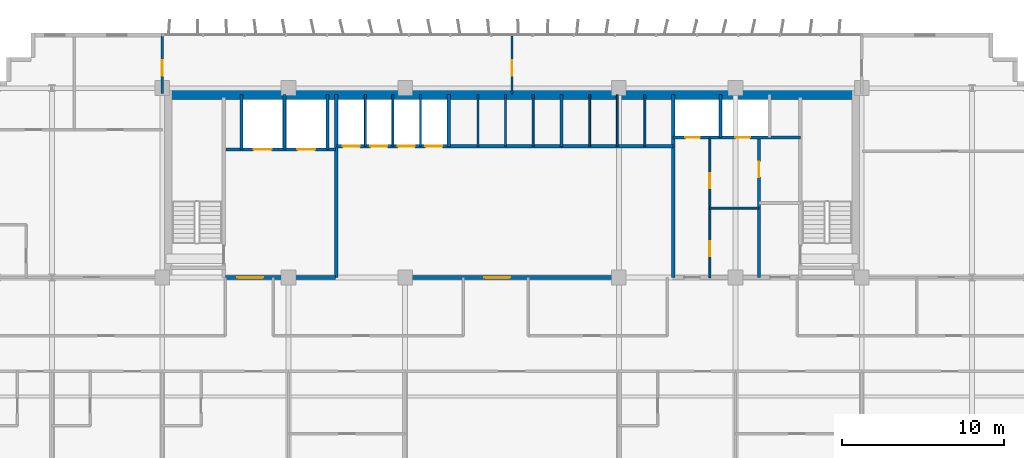
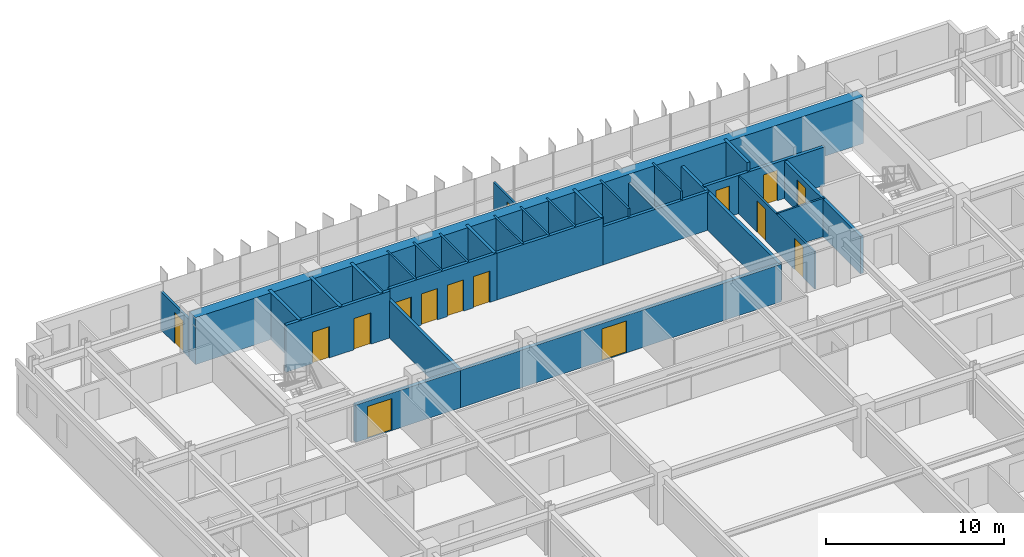
# One storey, part 21 of 25: 30 walls, 15 doors, 15 openings.
"""IFC4 building model written with IfcOpenShell, lengths in metres."""

from ifc_helpers import new_model, si_unit, direction, frame, frame_2d, origin, place, context, subcontext, project, spatial, rectangle, extrude, source, transform, mapped, material, layer, layer_set, type_object, element, fill, save


model = new_model("IFC4")

# Units and contexts
model_context = context("Model", 3, precision=1e-05, world=origin(), true_north=direction((0.0, 1.0)))
body_context = subcontext(model_context, "Body", "Model", "MODEL_VIEW")
ifc_project = project(units=[si_unit("LENGTHUNIT", "METRE"), si_unit("AREAUNIT", "SQUARE_METRE"), si_unit("VOLUMEUNIT", "CUBIC_METRE"), si_unit("PLANEANGLEUNIT", "RADIAN"), si_unit("MASSUNIT", "GRAM", prefix="KILO")], contexts=[model_context])

# Site, building, storey
site_placement = place(None, origin())
site = spatial("IfcSite", under=ifc_project, at=site_placement, CompositionType="ELEMENT")
building_placement = place(site_placement, origin())
building = spatial("IfcBuilding", under=site, at=building_placement, Name="Trelvane Seafront Commons", CompositionType="ELEMENT")
storey_placement = place(building_placement, frame((0.0, 0.0, 70.300048828125)))
storey = spatial("IfcBuildingStorey", under=building, at=storey_placement, Name="L18", CompositionType="ELEMENT", Elevation=70.300048828125)

# Wall, opening, door
ifc_material_1 = material(Name="Concrete C40/50", Category="concrete")
ifc_layer_1 = layer(ifc_material_1, 0.199951171875, Name="ARCH-WALL-FIRE200")
ifc_layer_set_1 = layer_set([ifc_layer_1], Name="Concrete C40/50")
wall_type_1 = type_object("IfcWallType", Name="ARCH-WALL-FIRE200", PredefinedType="PARTITIONING", material=ifc_layer_set_1)
wall_1_placement = place(storey_placement, frame((52.449951171875, 33.39990234375, 0.0), z_axis=(0.0, 0.0, 1.0), x_axis=(0.0, 1.0, 0.0)))
wall_1 = element("IfcWall", 1, at=wall_1_placement, inside=storey, type_object=wall_type_1, Name="W-L18-ST2V-W-033", PredefinedType="PARTITIONING", context=body_context, shape_type="SweptSolid", body=[
    extrude(rectangle(XDim=8.650146484375, YDim=0.199951171875, at=frame_2d((4.3251953125, 0.0))), origin(), (0.0, 0.0, 1.0), 2.570068359375),
])
opening_1_placement = place(wall_1_placement, frame((6.199951171875, 0.0, 0.0)))
opening_1 = element("IfcOpeningElement", 2, at=opening_1_placement, cuts=wall_1, Name="Opening FD-L18-13", PredefinedType="OPENING", context=body_context, shape_type="SweptSolid", body=[
    extrude(rectangle(XDim=0.949951171875, YDim=2.14990234375, at=frame_2d((0.47509765625, 1.074951171875))), frame((0.0, 0.10986328125, 0.0), z_axis=(0.0, -1.0, 0.0), x_axis=(1.0, 0.0, 0.0)), (0.0, 0.0, 1.0), 0.219970703125),
])
ifc_material_2 = material(Name="Powder-coated aluminium frame", Category="aluminium")
door_type_1 = type_object("IfcDoorType", Name="ARCH-DR-FD60-950", OperationType="NOTDEFINED", PredefinedType="DOOR", material=ifc_material_2)
shared_shape_1 = source(origin(), body_context, "Body", "SweptSolid", [
    extrude(rectangle(XDim=0.949951171875, YDim=2.14990234375, at=frame_2d((0.47509765625, 1.074951171875))), frame((0.0, 0.02490234375, 0.0), z_axis=(0.0, -1.0, 0.0), x_axis=(1.0, 0.0, 0.0)), (0.0, 0.0, 1.0), 0.050048828125),
])
door_1_placement = place(opening_1_placement, origin())
door_1 = element("IfcDoor", 3, at=door_1_placement, inside=storey, type_object=door_type_1, Name="L18 Cleaner Store Door", OperationType="SINGLE_SWING_LEFT", OverallHeight=2.14990234375, OverallWidth=0.949951171875, PredefinedType="DOOR", context=body_context, shape_type="MappedRepresentation", body=[
    mapped(shared_shape_1, transform((0.0, 0.0, 0.0), x_axis=(1.0, 0.0, 0.0), y_axis=(0.0, 1.0, 0.0), z_axis=(0.0, 0.0, 1.0), scale=1.0)),
])
fill(opening_1, door_1)

ifc_layer_2 = layer(ifc_material_1, 0.25, Name="ARCH-WALL-FIRE250")
ifc_layer_set_2 = layer_set([ifc_layer_2], Name="Concrete C40/50")
wall_type_2 = type_object("IfcWallType", Name="ARCH-WALL-FIRE250", PredefinedType="PARTITIONING", material=ifc_layer_set_2)
wall_2_placement = place(storey_placement, frame((19.5, 33.39990234375, 0.0), z_axis=(0.0, 0.0, 1.0), x_axis=(1.0, 0.0, 0.0)))
wall_2 = element("IfcWall", 4, at=wall_2_placement, inside=storey, type_object=wall_type_2, Name="W-L18-CS-FFL-013", PredefinedType="PARTITIONING", context=body_context, shape_type="SweptSolid", body=[
    extrude(rectangle(XDim=6.800048828125, YDim=0.25, at=frame_2d((3.39990234375, 0.0))), origin(), (0.0, 0.0, 1.0), 2.570068359375),
])
opening_2_placement = place(wall_2_placement, frame((0.75, 0.0, 0.0)))
opening_2 = element("IfcOpeningElement", 5, at=opening_2_placement, cuts=wall_2, Name="Opening FD-L18-05", PredefinedType="OPENING", context=body_context, shape_type="SweptSolid", body=[
    extrude(rectangle(XDim=1.60009765625, YDim=2.199951171875, at=frame_2d((0.800048828125, 1.10009765625))), frame((0.0, 0.135009765625, 0.0), z_axis=(0.0, -1.0, 0.0), x_axis=(1.0, 0.0, 0.0)), (0.0, 0.0, 1.0), 0.27001953125),
])
door_type_2 = type_object("IfcDoorType", Name="ARCH-DR-FD60-1600", OperationType="DOUBLE_DOOR_SINGLE_SWING", PredefinedType="DOOR", material=ifc_material_2)
shared_shape_2 = source(origin(), body_context, "Body", "SweptSolid", [
    extrude(rectangle(XDim=1.60009765625, YDim=2.199951171875, at=frame_2d((0.800048828125, 1.10009765625))), frame((0.0, 0.02490234375, 0.0), z_axis=(0.0, -1.0, 0.0), x_axis=(1.0, 0.0, 0.0)), (0.0, 0.0, 1.0), 0.050048828125),
])
door_2_placement = place(opening_2_placement, origin())
door_2 = element("IfcDoor", 6, at=door_2_placement, inside=storey, type_object=door_type_2, Name="L18 Firefighting Lift Lobby Double Fire Door", OperationType="DOUBLE_DOOR_SINGLE_SWING", OverallHeight=2.199951171875, OverallWidth=1.60009765625, PredefinedType="DOOR", context=body_context, shape_type="MappedRepresentation", body=[
    mapped(shared_shape_2, transform((0.0, 0.0, 0.0), x_axis=(1.0, 0.0, 0.0), y_axis=(0.0, 1.0, 0.0), z_axis=(0.0, 0.0, 1.0), scale=1.0)),
])
fill(opening_2, door_2)

wall_3_placement = place(storey_placement, frame((26.300048828125, 33.39990234375, 0.0), z_axis=(0.0, 0.0, 1.0), x_axis=(1.0, 0.0, 0.0)))
wall_3 = element("IfcWall", 7, at=wall_3_placement, inside=storey, type_object=wall_type_2, Name="W-L18-CS-PAX-029", PredefinedType="PARTITIONING", context=body_context, shape_type="SweptSolid", body=[
    extrude(rectangle(XDim=20.849853515625, YDim=0.25, at=frame_2d((10.4248046875, 0.0))), origin(), (0.0, 0.0, 1.0), 2.570068359375),
])
opening_3_placement = place(wall_3_placement, frame((9.199951171875, 0.0, 0.0)))
opening_3 = element("IfcOpeningElement", 8, at=opening_3_placement, cuts=wall_3, Name="Opening FD-L18-10", PredefinedType="OPENING", context=body_context, shape_type="SweptSolid", body=[
    extrude(rectangle(XDim=1.60009765625, YDim=2.199951171875, at=frame_2d((0.800048828125, 1.10009765625))), frame((0.0, 0.135009765625, 0.0), z_axis=(0.0, -1.0, 0.0), x_axis=(1.0, 0.0, 0.0)), (0.0, 0.0, 1.0), 0.27001953125),
])
door_3_placement = place(opening_3_placement, origin())
door_3 = element("IfcDoor", 9, at=door_3_placement, inside=storey, type_object=door_type_2, Name="L18 Passenger Lift Lobby Double Door", OperationType="DOUBLE_DOOR_SINGLE_SWING", OverallHeight=2.199951171875, OverallWidth=1.60009765625, PredefinedType="DOOR", context=body_context, shape_type="MappedRepresentation", body=[
    mapped(shared_shape_2, transform((0.0, 0.0, 0.0), x_axis=(1.0, 0.0, 0.0), y_axis=(0.0, 1.0, 0.0), z_axis=(0.0, 0.0, 1.0), scale=1.0)),
])
fill(opening_3, door_3)

# Walls
ifc_material_3 = material(Name="Gypsum Drywall Acoustic Partition")
ifc_layer_3 = layer(ifc_material_3, 0.1201171875, Name="ARCH-WALL-PART120")
ifc_layer_set_3 = layer_set([ifc_layer_3], Name="Gypsum Drywall Acoustic Partition")
wall_type_3 = type_object("IfcWallType", Name="ARCH-WALL-PART120", PredefinedType="PARTITIONING", material=ifc_layer_set_3)
for number, where, z_axis, x_axis, name in (
    (10, (28.14990234375, 41.5, 0.0), (0.0, 0.0, 1.0), (0.0, 1.0, 0.0), "W-L18-PL-DIV1-016"),
    (11, (29.85009765625, 41.5, 0.0), (0.0, 0.0, 1.0), (0.0, 1.0, 0.0), "W-L18-PL-DIV2-017"),
    (12, (31.550048828125, 41.5, 0.0), (0.0, 0.0, 1.0), (0.0, 1.0, 0.0), "W-L18-PL-DIV3-018"),
    (13, (35.10009765625, 41.5, 0.0), (0.0, 0.0, 1.0), (0.0, 1.0, 0.0), "W-L18-PM-DIV1-020"),
    (14, (36.800048828125, 41.5, 0.0), (0.0, 0.0, 1.0), (0.0, 1.0, 0.0), "W-L18-PM-DIV2-021"),
    (15, (38.5, 41.5, 0.0), (0.0, 0.0, 1.0), (0.0, 1.0, 0.0), "W-L18-PM-DIV3-022"),
    (16, (42.0, 41.5, 0.0), (0.0, 0.0, 1.0), (0.0, 1.0, 0.0), "W-L18-PH-DIV1-025"),
):
    element("IfcWall", number, at=place(storey_placement, frame(where, z_axis=z_axis, x_axis=x_axis)), inside=storey, type_object=wall_type_3, Name=name, PredefinedType="PARTITIONING", context=body_context, shape_type="SweptSolid", body=[
        extrude(rectangle(XDim=3.199951171875, YDim=0.1201171875, at=frame_2d((1.60009765625, 0.0))), origin(), (0.0, 0.0, 1.0), 3.219970703125),
    ])
wall_4_placement = place(storey_placement, frame((43.699951171875, 41.5, 0.0), z_axis=(0.0, 0.0, 1.0), x_axis=(0.0, 1.0, 0.0)))
element("IfcWall", 17, at=wall_4_placement, inside=storey, type_object=wall_type_3, Name="W-L18-PH-DIV2-026", PredefinedType="PARTITIONING", context=body_context, shape_type="SweptSolid", body=[
    extrude(rectangle(XDim=3.199951171875, YDim=0.1201171875, at=frame_2d((1.60009765625, 0.0))), origin(), (0.0, 0.0, 1.0), 2.6318359375),
])
wall_5_placement = place(storey_placement, frame((45.39990234375, 41.5, 0.0), z_axis=(0.0, 0.0, 1.0), x_axis=(0.0, 1.0, 0.0)))
element("IfcWall", 18, at=wall_5_placement, inside=storey, type_object=wall_type_3, Name="W-L18-PH-DIV3-027", PredefinedType="PARTITIONING", context=body_context, shape_type="SweptSolid", body=[
    extrude(rectangle(XDim=3.199951171875, YDim=0.1201171875, at=frame_2d((1.60009765625, 0.0))), origin(), (0.0, 0.0, 1.0), 3.219970703125),
])

# Wall, openings, doors
wall_6_placement = place(storey_placement, frame((49.419921875, 33.39990234375, 0.0), z_axis=(0.0, 0.0, 1.0), x_axis=(0.0, 1.0, 0.0)))
wall_6 = element("IfcWall", 19, at=wall_6_placement, inside=storey, type_object=wall_type_3, Name="W-L18-CYC0-V-035", PredefinedType="PARTITIONING", context=body_context, shape_type="SweptSolid", body=[
    extrude(rectangle(XDim=8.60009765625, YDim=0.1201171875, at=frame_2d((4.300048828125, 0.0))), origin(), (0.0, 0.0, 1.0), 2.570068359375),
])
opening_4_placement = place(wall_6_placement, frame((1.300048828125, 0.0, 0.0)))
opening_4 = element("IfcOpeningElement", 20, at=opening_4_placement, cuts=wall_6, Name="Opening D-L18-14", PredefinedType="OPENING", context=body_context, shape_type="SweptSolid", body=[
    extrude(rectangle(XDim=0.949951171875, YDim=2.14990234375, at=frame_2d((0.47509765625, 1.074951171875))), frame((0.0, 0.070068359375, 0.0), z_axis=(0.0, -1.0, 0.0), x_axis=(1.0, 0.0, 0.0)), (0.0, 0.0, 1.0), 0.14013671875),
])
opening_5_placement = place(wall_6_placement, frame((5.5, 0.0, 0.0)))
opening_5 = element("IfcOpeningElement", 21, at=opening_5_placement, cuts=wall_6, Name="Opening D-L18-15", PredefinedType="OPENING", context=body_context, shape_type="SweptSolid", body=[
    extrude(rectangle(XDim=0.949951171875, YDim=2.14990234375, at=frame_2d((0.47509765625, 1.074951171875))), frame((0.0, 0.070068359375, 0.0), z_axis=(0.0, -1.0, 0.0), x_axis=(1.0, 0.0, 0.0)), (0.0, 0.0, 1.0), 0.14013671875),
])
ifc_material_4 = material(Name="Acoustic timber door leaf", Category="wood")
door_type_3 = type_object("IfcDoorType", Name="ARCH-DR-INT950", OperationType="NOTDEFINED", PredefinedType="DOOR", material=ifc_material_4)
door_4_placement = place(opening_4_placement, origin())
door_4 = element("IfcDoor", 22, at=door_4_placement, inside=storey, type_object=door_type_3, Name="L18 Accessible WC Door", OperationType="SINGLE_SWING_RIGHT", OverallHeight=2.14990234375, OverallWidth=0.949951171875, PredefinedType="DOOR", context=body_context, shape_type="MappedRepresentation", body=[
    mapped(shared_shape_1, transform((0.0, 0.0, 0.0), x_axis=(1.0, 0.0, 0.0), y_axis=(0.0, 1.0, 0.0), z_axis=(0.0, 0.0, 1.0), scale=1.0)),
])
fill(opening_4, door_4)
door_5_placement = place(opening_5_placement, origin())
door_5 = element("IfcDoor", 23, at=door_5_placement, inside=storey, type_object=door_type_3, Name="L18 Common WC Door", OperationType="SINGLE_SWING_LEFT", OverallHeight=2.14990234375, OverallWidth=0.949951171875, PredefinedType="DOOR", context=body_context, shape_type="MappedRepresentation", body=[
    mapped(shared_shape_1, transform((0.0, 0.0, 0.0), x_axis=(1.0, 0.0, 0.0), y_axis=(0.0, 1.0, 0.0), z_axis=(0.0, 0.0, 1.0), scale=1.0)),
])
fill(opening_5, door_5)

# Wall
wall_7_placement = place(storey_placement, frame((49.419921875, 37.679931640625, 0.0), z_axis=(0.0, 0.0, 1.0), x_axis=(1.0, 0.0, 0.0)))
element("IfcWall", 24, at=wall_7_placement, inside=storey, type_object=wall_type_3, Name="W-L18-CYC0-H-036", PredefinedType="PARTITIONING", context=body_context, shape_type="SweptSolid", body=[
    extrude(rectangle(XDim=3.030029296875, YDim=0.1201171875, at=frame_2d((1.51513671875, 0.0))), origin(), (0.0, 0.0, 1.0), 2.6318359375),
])

# Wall, opening, door
wall_8_placement = place(storey_placement, frame((37.199951171875, 44.75, 0.0), z_axis=(0.0, 0.0, 1.0), x_axis=(0.0, 1.0, 0.0)))
wall_8 = element("IfcWall", 25, at=wall_8_placement, inside=storey, type_object=wall_type_3, Name="W-L18-N-MID-DV-057", PredefinedType="PARTITIONING", context=body_context, shape_type="SweptSolid", body=[
    extrude(rectangle(XDim=3.610107421875, YDim=0.1201171875, at=frame_2d((1.80517578125, 0.0))), origin(), (0.0, 0.0, 1.0), 2.570068359375),
])
opening_6_placement = place(wall_8_placement, frame((1.10009765625, 0.0, 0.0)))
opening_6 = element("IfcOpeningElement", 26, at=opening_6_placement, cuts=wall_8, Name="Opening D-L18-29", PredefinedType="OPENING", context=body_context, shape_type="SweptSolid", body=[
    extrude(rectangle(XDim=0.949951171875, YDim=2.14990234375, at=frame_2d((0.47509765625, 1.074951171875))), frame((0.0, 0.070068359375, 0.0), z_axis=(0.0, -1.0, 0.0), x_axis=(1.0, 0.0, 0.0)), (0.0, 0.0, 1.0), 0.14013671875),
])
door_6_placement = place(opening_6_placement, origin())
door_6 = element("IfcDoor", 27, at=door_6_placement, inside=storey, type_object=door_type_3, Name="L18 Door 29", OperationType="SINGLE_SWING_LEFT", OverallHeight=2.14990234375, OverallWidth=0.949951171875, PredefinedType="DOOR", context=body_context, shape_type="MappedRepresentation", body=[
    mapped(shared_shape_1, transform((0.0, 0.0, 0.0), x_axis=(1.0, 0.0, 0.0), y_axis=(0.0, 1.0, 0.0), z_axis=(0.0, 0.0, 1.0), scale=1.0)),
])
fill(opening_6, door_6)

ifc_layer_4 = layer(ifc_material_3, 0.14990234375, Name="ARCH-WALL-PART150")
ifc_layer_set_4 = layer_set([ifc_layer_4], Name="Gypsum Drywall Acoustic Partition")
wall_type_4 = type_object("IfcWallType", Name="ARCH-WALL-PART150", PredefinedType="PARTITIONING", material=ifc_layer_set_4)
wall_9_placement = place(storey_placement, frame((15.60009765625, 44.75, 0.0), z_axis=(0.0, 0.0, 1.0), x_axis=(0.0, 1.0, 0.0)))
wall_9 = element("IfcWall", 28, at=wall_9_placement, inside=storey, type_object=wall_type_4, Name="W-L18-N-LINK-W-058", PredefinedType="PARTITIONING", context=body_context, shape_type="SweptSolid", body=[
    extrude(rectangle(XDim=3.610107421875, YDim=0.14990234375, at=frame_2d((1.80517578125, 0.0))), origin(), (0.0, 0.0, 1.0), 2.6318359375),
])
opening_7_placement = place(wall_9_placement, frame((1.10009765625, 0.0, 0.0)))
opening_7 = element("IfcOpeningElement", 29, at=opening_7_placement, cuts=wall_9, Name="Opening FD-L18-30", PredefinedType="OPENING", context=body_context, shape_type="SweptSolid", body=[
    extrude(rectangle(XDim=0.949951171875, YDim=2.14990234375, at=frame_2d((0.47509765625, 1.074951171875))), frame((0.0, 0.0849609375, 0.0), z_axis=(0.0, -1.0, 0.0), x_axis=(1.0, 0.0, 0.0)), (0.0, 0.0, 1.0), 0.169921875),
])
door_7_placement = place(opening_7_placement, origin())
door_7 = element("IfcDoor", 30, at=door_7_placement, inside=storey, type_object=door_type_1, Name="L18 Door 30", OperationType="SINGLE_SWING_RIGHT", OverallHeight=2.14990234375, OverallWidth=0.949951171875, PredefinedType="DOOR", context=body_context, shape_type="MappedRepresentation", body=[
    mapped(shared_shape_1, transform((0.0, 0.0, 0.0), x_axis=(1.0, 0.0, 0.0), y_axis=(0.0, 1.0, 0.0), z_axis=(0.0, 0.0, 1.0), scale=1.0)),
])
fill(opening_7, door_7)

# Wall, openings, doors
ifc_layer_5 = layer(ifc_material_1, 0.199951171875, Name="ARCH-WALL-SHAFT200")
ifc_layer_set_5 = layer_set([ifc_layer_5], Name="Concrete C40/50")
wall_type_5 = type_object("IfcWallType", Name="ARCH-WALL-SHAFT200", PredefinedType="SOLIDWALL", material=ifc_layer_set_5)
wall_10_placement = place(storey_placement, frame((19.550048828125, 41.300048828125, 0.0), z_axis=(0.0, 0.0, 1.0), x_axis=(1.0, 0.0, 0.0)))
wall_10 = element("IfcWall", 31, at=wall_10_placement, inside=storey, type_object=wall_type_5, Name="W-L18-FFL-FRONT-008", PredefinedType="SOLIDWALL", context=body_context, shape_type="SweptSolid", body=[
    extrude(rectangle(XDim=6.75, YDim=0.199951171875, at=frame_2d((3.375, 0.0))), origin(), (0.0, 0.0, 1.0), 3.219970703125),
])
opening_8_placement = place(wall_10_placement, frame((1.699951171875, 0.0, 0.0)))
opening_8 = element("IfcOpeningElement", 32, at=opening_8_placement, cuts=wall_10, Name="Opening LD-FF1-L18", PredefinedType="OPENING", context=body_context, shape_type="SweptSolid", body=[
    extrude(rectangle(XDim=1.10009765625, YDim=2.14990234375, at=frame_2d((0.550048828125, 1.074951171875))), frame((0.0, 0.10986328125, 0.0), z_axis=(0.0, -1.0, 0.0), x_axis=(1.0, 0.0, 0.0)), (0.0, 0.0, 1.0), 0.219970703125),
])
opening_9_placement = place(wall_10_placement, frame((4.39990234375, 0.0, 0.0)))
opening_9 = element("IfcOpeningElement", 33, at=opening_9_placement, cuts=wall_10, Name="Opening LD-FF2-L18", PredefinedType="OPENING", context=body_context, shape_type="SweptSolid", body=[
    extrude(rectangle(XDim=1.10009765625, YDim=2.14990234375, at=frame_2d((0.550048828125, 1.074951171875))), frame((0.0, 0.10986328125, 0.0), z_axis=(0.0, -1.0, 0.0), x_axis=(1.0, 0.0, 0.0)), (0.0, 0.0, 1.0), 0.219970703125),
])
ifc_material_5 = material(Name="Stainless steel balustrade", Category="steel")
door_type_4 = type_object("IfcDoorType", Name="ARCH-DR-LD1100", OperationType="DOUBLE_DOOR_SLIDING", PredefinedType="DOOR", material=ifc_material_5)
shared_shape_3 = source(origin(), body_context, "Body", "SweptSolid", [
    extrude(rectangle(XDim=1.10009765625, YDim=2.14990234375, at=frame_2d((0.550048828125, 1.074951171875))), frame((0.0, 0.02490234375, 0.0), z_axis=(0.0, -1.0, 0.0), x_axis=(1.0, 0.0, 0.0)), (0.0, 0.0, 1.0), 0.050048828125),
])
door_8_placement = place(opening_8_placement, origin())
door_8 = element("IfcDoor", 34, at=door_8_placement, inside=storey, type_object=door_type_4, Name="L18 Firefighting Lift FFL-1 Landing Door", OperationType="DOUBLE_DOOR_SLIDING", OverallHeight=2.14990234375, OverallWidth=1.10009765625, PredefinedType="DOOR", context=body_context, shape_type="MappedRepresentation", body=[
    mapped(shared_shape_3, transform((0.0, 0.0, 0.0), x_axis=(1.0, 0.0, 0.0), y_axis=(0.0, 1.0, 0.0), z_axis=(0.0, 0.0, 1.0), scale=1.0)),
])
fill(opening_8, door_8)
door_9_placement = place(opening_9_placement, origin())
door_9 = element("IfcDoor", 35, at=door_9_placement, inside=storey, type_object=door_type_4, Name="L18 Firefighting Lift FFL-2 Landing Door", OperationType="DOUBLE_DOOR_SLIDING", OverallHeight=2.14990234375, OverallWidth=1.10009765625, PredefinedType="DOOR", context=body_context, shape_type="MappedRepresentation", body=[
    mapped(shared_shape_3, transform((0.0, 0.0, 0.0), x_axis=(1.0, 0.0, 0.0), y_axis=(0.0, 1.0, 0.0), z_axis=(0.0, 0.0, 1.0), scale=1.0)),
])
fill(opening_9, door_9)

# Walls
for number, where, z_axis, x_axis, name in (
    (36, (20.5, 41.300048828125, 0.0), (0.0, 0.0, 1.0), (0.0, 1.0, 0.0), "W-L18-FFL-SH-W-009"),
    (37, (23.14990234375, 41.300048828125, 0.0), (0.0, 0.0, 1.0), (0.0, 1.0, 0.0), "W-L18-FFL-DIV-010"),
    (38, (25.800048828125, 41.300048828125, 0.0), (0.0, 0.0, 1.0), (0.0, 1.0, 0.0), "W-L18-FFL-SH-E-011"),
):
    element("IfcWall", number, at=place(storey_placement, frame(where, z_axis=z_axis, x_axis=x_axis)), inside=storey, type_object=wall_type_5, Name=name, PredefinedType="SOLIDWALL", context=body_context, shape_type="SweptSolid", body=[
        extrude(rectangle(XDim=3.39990234375, YDim=0.199951171875, at=frame_2d((1.699951171875, 0.0))), origin(), (0.0, 0.0, 1.0), 3.219970703125),
    ])
wall_11_placement = place(storey_placement, frame((26.35009765625, 33.39990234375, 0.0), z_axis=(0.0, 0.0, 1.0), x_axis=(0.0, 1.0, 0.0)))
element("IfcWall", 39, at=wall_11_placement, inside=storey, type_object=wall_type_5, Name="W-L18-FFL-EAST-012", PredefinedType="SOLIDWALL", context=body_context, shape_type="SweptSolid", body=[
    extrude(rectangle(XDim=11.300048828125, YDim=0.199951171875, at=frame_2d((5.64990234375, 0.0))), origin(), (0.0, 0.0, 1.0), 2.570068359375),
])

# Wall, openings, doors
wall_12_placement = place(storey_placement, frame((26.39990234375, 41.5, 0.0), z_axis=(0.0, 0.0, 1.0), x_axis=(1.0, 0.0, 0.0)))
wall_12 = element("IfcWall", 40, at=wall_12_placement, inside=storey, type_object=wall_type_5, Name="W-L18-PL-FRONT-014", PredefinedType="SOLIDWALL", context=body_context, shape_type="SweptSolid", body=[
    extrude(rectangle(XDim=6.9501953125, YDim=0.199951171875, at=frame_2d((3.47509765625, 0.0))), origin(), (0.0, 0.0, 1.0), 3.219970703125),
])
opening_10_placement = place(wall_12_placement, frame((0.35009765625, 0.0, 0.0)))
opening_10 = element("IfcOpeningElement", 41, at=opening_10_placement, cuts=wall_12, Name="Opening LD-PL1-L18", PredefinedType="OPENING", context=body_context, shape_type="SweptSolid", body=[
    extrude(rectangle(XDim=1.050048828125, YDim=2.14990234375, at=frame_2d((0.52490234375, 1.074951171875))), frame((0.0, 0.10986328125, 0.0), z_axis=(0.0, -1.0, 0.0), x_axis=(1.0, 0.0, 0.0)), (0.0, 0.0, 1.0), 0.219970703125),
])
opening_11_placement = place(wall_12_placement, frame((2.050048828125, 0.0, 0.0)))
opening_11 = element("IfcOpeningElement", 42, at=opening_11_placement, cuts=wall_12, Name="Opening LD-PL2-L18", PredefinedType="OPENING", context=body_context, shape_type="SweptSolid", body=[
    extrude(rectangle(XDim=1.050048828125, YDim=2.14990234375, at=frame_2d((0.52490234375, 1.074951171875))), frame((0.0, 0.10986328125, 0.0), z_axis=(0.0, -1.0, 0.0), x_axis=(1.0, 0.0, 0.0)), (0.0, 0.0, 1.0), 0.219970703125),
])
opening_12_placement = place(wall_12_placement, frame((3.75, 0.0, 0.0)))
opening_12 = element("IfcOpeningElement", 43, at=opening_12_placement, cuts=wall_12, Name="Opening LD-PL3-L18", PredefinedType="OPENING", context=body_context, shape_type="SweptSolid", body=[
    extrude(rectangle(XDim=1.050048828125, YDim=2.14990234375, at=frame_2d((0.52490234375, 1.074951171875))), frame((0.0, 0.10986328125, 0.0), z_axis=(0.0, -1.0, 0.0), x_axis=(1.0, 0.0, 0.0)), (0.0, 0.0, 1.0), 0.219970703125),
])
opening_13_placement = place(wall_12_placement, frame((5.449951171875, 0.0, 0.0)))
opening_13 = element("IfcOpeningElement", 44, at=opening_13_placement, cuts=wall_12, Name="Opening LD-PL4-L18", PredefinedType="OPENING", context=body_context, shape_type="SweptSolid", body=[
    extrude(rectangle(XDim=1.050048828125, YDim=2.14990234375, at=frame_2d((0.52490234375, 1.074951171875))), frame((0.0, 0.10986328125, 0.0), z_axis=(0.0, -1.0, 0.0), x_axis=(1.0, 0.0, 0.0)), (0.0, 0.0, 1.0), 0.219970703125),
])
door_type_5 = type_object("IfcDoorType", Name="ARCH-DR-LD1050", OperationType="DOUBLE_DOOR_SLIDING", PredefinedType="DOOR", material=ifc_material_5)
shared_shape_4 = source(origin(), body_context, "Body", "SweptSolid", [
    extrude(rectangle(XDim=1.050048828125, YDim=2.14990234375, at=frame_2d((0.52490234375, 1.074951171875))), frame((0.0, 0.02490234375, 0.0), z_axis=(0.0, -1.0, 0.0), x_axis=(1.0, 0.0, 0.0)), (0.0, 0.0, 1.0), 0.050048828125),
])
door_10_placement = place(opening_10_placement, origin())
door_10 = element("IfcDoor", 45, at=door_10_placement, inside=storey, type_object=door_type_5, Name="L18 Passenger Lift PL-1 Landing Door", OperationType="DOUBLE_DOOR_SLIDING", OverallHeight=2.14990234375, OverallWidth=1.050048828125, PredefinedType="DOOR", context=body_context, shape_type="MappedRepresentation", body=[
    mapped(shared_shape_4, transform((0.0, 0.0, 0.0), x_axis=(1.0, 0.0, 0.0), y_axis=(0.0, 1.0, 0.0), z_axis=(0.0, 0.0, 1.0), scale=1.0)),
])
fill(opening_10, door_10)
door_11_placement = place(opening_11_placement, origin())
door_11 = element("IfcDoor", 46, at=door_11_placement, inside=storey, type_object=door_type_5, Name="L18 Passenger Lift PL-2 Landing Door", OperationType="DOUBLE_DOOR_SLIDING", OverallHeight=2.14990234375, OverallWidth=1.050048828125, PredefinedType="DOOR", context=body_context, shape_type="MappedRepresentation", body=[
    mapped(shared_shape_4, transform((0.0, 0.0, 0.0), x_axis=(1.0, 0.0, 0.0), y_axis=(0.0, 1.0, 0.0), z_axis=(0.0, 0.0, 1.0), scale=1.0)),
])
fill(opening_11, door_11)
door_12_placement = place(opening_12_placement, origin())
door_12 = element("IfcDoor", 47, at=door_12_placement, inside=storey, type_object=door_type_5, Name="L18 Passenger Lift PL-3 Landing Door", OperationType="DOUBLE_DOOR_SLIDING", OverallHeight=2.14990234375, OverallWidth=1.050048828125, PredefinedType="DOOR", context=body_context, shape_type="MappedRepresentation", body=[
    mapped(shared_shape_4, transform((0.0, 0.0, 0.0), x_axis=(1.0, 0.0, 0.0), y_axis=(0.0, 1.0, 0.0), z_axis=(0.0, 0.0, 1.0), scale=1.0)),
])
fill(opening_12, door_12)
door_13_placement = place(opening_13_placement, origin())
door_13 = element("IfcDoor", 48, at=door_13_placement, inside=storey, type_object=door_type_5, Name="L18 Passenger Lift PL-4 Landing Door", OperationType="DOUBLE_DOOR_SLIDING", OverallHeight=2.14990234375, OverallWidth=1.050048828125, PredefinedType="DOOR", context=body_context, shape_type="MappedRepresentation", body=[
    mapped(shared_shape_4, transform((0.0, 0.0, 0.0), x_axis=(1.0, 0.0, 0.0), y_axis=(0.0, 1.0, 0.0), z_axis=(0.0, 0.0, 1.0), scale=1.0)),
])
fill(opening_13, door_13)

# Walls
wall_13_placement = place(storey_placement, frame((33.300048828125, 41.5, 0.0), z_axis=(0.0, 0.0, 1.0), x_axis=(0.0, 1.0, 0.0)))
element("IfcWall", 49, at=wall_13_placement, inside=storey, type_object=wall_type_5, Name="W-L18-PL-EAST-SH-015", PredefinedType="SOLIDWALL", context=body_context, shape_type="SweptSolid", body=[
    extrude(rectangle(XDim=3.199951171875, YDim=0.199951171875, at=frame_2d((1.60009765625, 0.0))), origin(), (0.0, 0.0, 1.0), 3.219970703125),
])
wall_14_placement = place(storey_placement, frame((33.35009765625, 41.5, 0.0), z_axis=(0.0, 0.0, 1.0), x_axis=(1.0, 0.0, 0.0)))
element("IfcWall", 50, at=wall_14_placement, inside=storey, type_object=wall_type_5, Name="W-L18-PM-FRONT-019", PredefinedType="SOLIDWALL", context=body_context, shape_type="SweptSolid", body=[
    extrude(rectangle(XDim=6.89990234375, YDim=0.199951171875, at=frame_2d((3.449951171875, 0.0))), origin(), (0.0, 0.0, 1.0), 3.219970703125),
])
wall_15_placement = place(storey_placement, frame((40.25, 41.5, 0.0), z_axis=(0.0, 0.0, 1.0), x_axis=(1.0, 0.0, 0.0)))
element("IfcWall", 51, at=wall_15_placement, inside=storey, type_object=wall_type_5, Name="W-L18-PH-FRONT-023", PredefinedType="SOLIDWALL", context=body_context, shape_type="SweptSolid", body=[
    extrude(rectangle(XDim=6.89990234375, YDim=0.199951171875, at=frame_2d((3.449951171875, 0.0))), origin(), (0.0, 0.0, 1.0), 2.6318359375),
])
wall_16_placement = place(storey_placement, frame((40.25, 41.5, 0.0), z_axis=(0.0, 0.0, 1.0), x_axis=(0.0, 1.0, 0.0)))
element("IfcWall", 52, at=wall_16_placement, inside=storey, type_object=wall_type_5, Name="W-L18-PH-WEST-SH-024", PredefinedType="SOLIDWALL", context=body_context, shape_type="SweptSolid", body=[
    extrude(rectangle(XDim=3.199951171875, YDim=0.199951171875, at=frame_2d((1.60009765625, 0.0))), origin(), (0.0, 0.0, 1.0), 3.219970703125),
])
wall_17_placement = place(storey_placement, frame((47.14990234375, 33.39990234375, 0.0), z_axis=(0.0, 0.0, 1.0), x_axis=(0.0, 1.0, 0.0)))
element("IfcWall", 53, at=wall_17_placement, inside=storey, type_object=wall_type_5, Name="W-L18-PH-EAST-028", PredefinedType="SOLIDWALL", context=body_context, shape_type="SweptSolid", body=[
    extrude(rectangle(XDim=11.300048828125, YDim=0.199951171875, at=frame_2d((5.64990234375, 0.0))), origin(), (0.0, 0.0, 1.0), 2.570068359375),
])

# Wall, openings, doors
wall_18_placement = place(storey_placement, frame((47.14990234375, 42.050048828125, 0.0), z_axis=(0.0, 0.0, 1.0), x_axis=(1.0, 0.0, 0.0)))
wall_18 = element("IfcWall", 54, at=wall_18_placement, inside=storey, type_object=wall_type_5, Name="W-L18-RSR-S-030", PredefinedType="SOLIDWALL", context=body_context, shape_type="SweptSolid", body=[
    extrude(rectangle(XDim=7.85009765625, YDim=0.199951171875, at=frame_2d((3.925048828125, 0.0))), origin(), (0.0, 0.0, 1.0), 2.6318359375),
])
opening_14_placement = place(wall_18_placement, frame((0.75, 0.0, 0.0)))
opening_14 = element("IfcOpeningElement", 55, at=opening_14_placement, cuts=wall_18, Name="Opening FD-L18-11", PredefinedType="OPENING", context=body_context, shape_type="SweptSolid", body=[
    extrude(rectangle(XDim=0.89990234375, YDim=2.10009765625, at=frame_2d((0.449951171875, 1.050048828125))), frame((0.0, 0.10986328125, 0.0), z_axis=(0.0, -1.0, 0.0), x_axis=(1.0, 0.0, 0.0)), (0.0, 0.0, 1.0), 0.219970703125),
])
opening_15_placement = place(wall_18_placement, frame((3.85009765625, 0.0, 0.0)))
opening_15 = element("IfcOpeningElement", 56, at=opening_15_placement, cuts=wall_18, Name="Opening FD-L18-12", PredefinedType="OPENING", context=body_context, shape_type="SweptSolid", body=[
    extrude(rectangle(XDim=0.89990234375, YDim=2.10009765625, at=frame_2d((0.449951171875, 1.050048828125))), frame((0.0, 0.10986328125, 0.0), z_axis=(0.0, -1.0, 0.0), x_axis=(1.0, 0.0, 0.0)), (0.0, 0.0, 1.0), 0.219970703125),
])
door_type_6 = type_object("IfcDoorType", Name="ARCH-DR-FD60-900", OperationType="NOTDEFINED", PredefinedType="DOOR", material=ifc_material_2)
shared_shape_5 = source(origin(), body_context, "Body", "SweptSolid", [
    extrude(rectangle(XDim=0.89990234375, YDim=2.10009765625, at=frame_2d((0.449951171875, 1.050048828125))), frame((0.0, 0.02490234375, 0.0), z_axis=(0.0, -1.0, 0.0), x_axis=(1.0, 0.0, 0.0)), (0.0, 0.0, 1.0), 0.050048828125),
])
door_14_placement = place(opening_14_placement, origin())
door_14 = element("IfcDoor", 57, at=door_14_placement, inside=storey, type_object=door_type_6, Name="L18 Electrical Riser Access Door", OperationType="SINGLE_SWING_LEFT", OverallHeight=2.10009765625, OverallWidth=0.89990234375, PredefinedType="DOOR", context=body_context, shape_type="MappedRepresentation", body=[
    mapped(shared_shape_5, transform((0.0, 0.0, 0.0), x_axis=(1.0, 0.0, 0.0), y_axis=(0.0, 1.0, 0.0), z_axis=(0.0, 0.0, 1.0), scale=1.0)),
])
fill(opening_14, door_14)
door_15_placement = place(opening_15_placement, origin())
door_15 = element("IfcDoor", 58, at=door_15_placement, inside=storey, type_object=door_type_6, Name="L18 Mechanical Riser Access Door", OperationType="SINGLE_SWING_RIGHT", OverallHeight=2.10009765625, OverallWidth=0.89990234375, PredefinedType="DOOR", context=body_context, shape_type="MappedRepresentation", body=[
    mapped(shared_shape_5, transform((0.0, 0.0, 0.0), x_axis=(1.0, 0.0, 0.0), y_axis=(0.0, 1.0, 0.0), z_axis=(0.0, 0.0, 1.0), scale=1.0)),
])
fill(opening_15, door_15)

# Walls
wall_19_placement = place(storey_placement, frame((50.080078125, 42.050048828125, 0.0), z_axis=(0.0, 0.0, 1.0), x_axis=(0.0, 1.0, 0.0)))
element("IfcWall", 59, at=wall_19_placement, inside=storey, type_object=wall_type_5, Name="W-L18-RSR-DIV-031", PredefinedType="SOLIDWALL", context=body_context, shape_type="SweptSolid", body=[
    extrude(rectangle(XDim=2.64990234375, YDim=0.199951171875, at=frame_2d((1.324951171875, 0.0))), origin(), (0.0, 0.0, 1.0), 3.219970703125),
])
ifc_material_6 = material(Name="Concrete C60/75", Category="concrete")
ifc_layer_6 = layer(ifc_material_6, 0.699951171875, Name="STR-WALL-CORE700")
ifc_layer_set_6 = layer_set([ifc_layer_6], Name="Concrete C60/75")
wall_type_6 = type_object("IfcWallType", Name="STR-WALL-CORE700", PredefinedType="SHEAR", material=ifc_layer_set_6)
wall_20_placement = place(storey_placement, frame((15.5, 44.75, 0.0), z_axis=(0.0, 0.0, 1.0), x_axis=(1.0, 0.0, 0.0)))
element("IfcWall", 60, at=wall_20_placement, inside=storey, type_object=wall_type_6, Name="W-L18-CN-ALL-001", PredefinedType="SHEAR", context=body_context, shape_type="SweptSolid", body=[
    extrude(rectangle(XDim=43.39990234375, YDim=0.699951171875, at=frame_2d((21.699951171875, 0.0))), origin(), (0.0, 0.0, 1.0), 3.219970703125),
])

save(model, "model.ifc")
